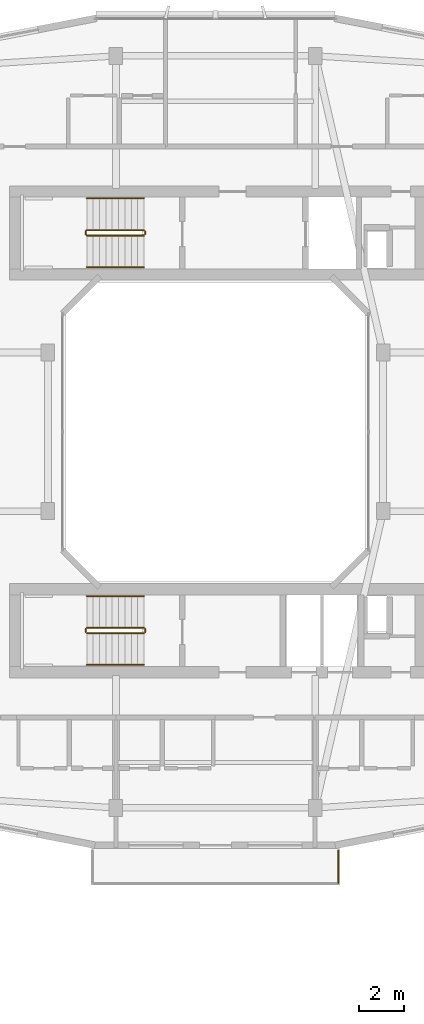
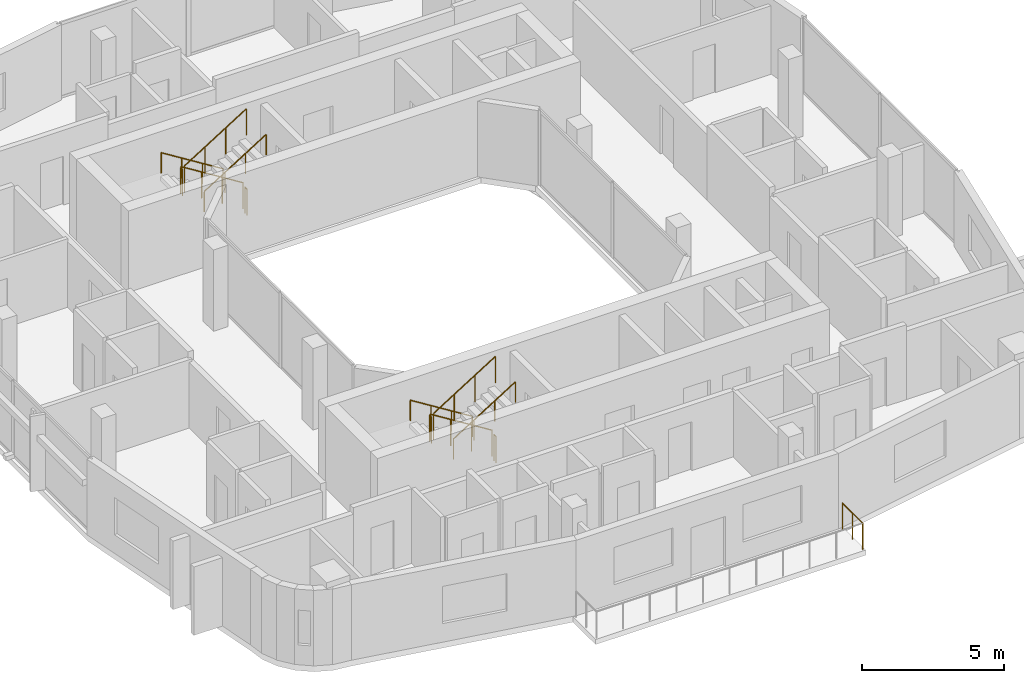
# One storey, part 23 of 24: 13 railings.
"""IFC4 building model written with IfcOpenShell, lengths in metres."""

from ifc_helpers import new_model, si_unit, derived_unit, direction, frame, origin, origin_2d, place, context, subcontext, project, spatial, circle, extrude, material, type_object, element, save


model = new_model("IFC4")

# Units and contexts
model_context = context("Model", 3, precision=1e-05, world=origin(), true_north=direction((0.0, 1.0)))
body_context = subcontext(model_context, "Body", "Model", "MODEL_VIEW")
ifc_project = project(units=[si_unit("LENGTHUNIT", "METRE"), si_unit("AREAUNIT", "SQUARE_METRE"), si_unit("VOLUMEUNIT", "CUBIC_METRE"), si_unit("PLANEANGLEUNIT", "RADIAN"), si_unit("MASSUNIT", "GRAM", prefix="KILO"), derived_unit("THERMALTRANSMITTANCEUNIT", [(si_unit("POWERUNIT", "WATT"), 1), (si_unit("LENGTHUNIT", "METRE"), -2), (si_unit("THERMODYNAMICTEMPERATUREUNIT", "KELVIN"), -1)])], contexts=[model_context])

# Site, building, storey
site_placement = place(None, origin())
site = spatial("IfcSite", under=ifc_project, at=site_placement, CompositionType="ELEMENT")
building_placement = place(site_placement, origin())
building = spatial("IfcBuilding", under=site, at=building_placement, Name="Kivonza Crest Hotel", CompositionType="ELEMENT")
storey_placement = place(building_placement, frame((0.0, 0.0, 80.0)))
storey = spatial("IfcBuildingStorey", under=building, at=storey_placement, Name="L21", CompositionType="ELEMENT", Elevation=80.0)

# Railings
ifc_material_1 = material(Name="Brushed stainless steel handrail", Category="steel")
railing_type_1 = type_object("IfcRailingType", Name="RL-HAND-900", PredefinedType="HANDRAIL", material=ifc_material_1)
railing_1_placement = place(storey_placement, frame((73.840087890625, 35.31005859375, 0.175048828125)))
element("IfcRailing", 1, at=railing_1_placement, inside=storey, type_object=railing_type_1, Name="L21 ST-T2-N stair handrail 1", PredefinedType="HANDRAIL", context=body_context, shape_type="SweptSolid", body=[
    extrude(circle(Radius=0.02392578125, at=origin_2d()), frame((0.0, 0.0, 0.8759765625), z_axis=(-0.848007534815, 0.0, 0.529984170421), x_axis=(0.0, -1.0, 0.0)), (0.0, 0.0, 1.0), 2.9716796875),
    extrude(circle(Radius=0.02099609375, at=origin_2d()), origin(), (0.0, 0.0, 1.0), 0.851806640625),
    extrude(circle(Radius=0.02099609375, at=origin_2d()), frame((-0.840087890625, 0.0, 0.52490234375)), (0.0, 0.0, 1.0), 0.851806640625),
    extrude(circle(Radius=0.02099609375, at=origin_2d()), frame((-1.679931640625, 0.0, 1.050048828125)), (0.0, 0.0, 1.0), 0.851806640625),
    extrude(circle(Radius=0.02099609375, at=origin_2d()), frame((-2.52001953125, 0.0, 1.574951171875)), (0.0, 0.0, 1.0), 0.851806640625),
])
railing_2_placement = place(storey_placement, frame((71.320068359375, 32.27001953125, 1.925048828125)))
element("IfcRailing", 2, at=railing_2_placement, inside=storey, type_object=railing_type_1, Name="L21 ST-T2-N stair handrail 2", PredefinedType="HANDRAIL", context=body_context, shape_type="SweptSolid", body=[
    extrude(circle(Radius=0.02392578125, at=origin_2d()), frame((0.0, 0.0, 0.8759765625), z_axis=(0.848007534815, 0.0, 0.529984170421), x_axis=(0.0, 1.0, 0.0)), (0.0, 0.0, 1.0), 2.9716796875),
    extrude(circle(Radius=0.02099609375, at=origin_2d()), origin(), (0.0, 0.0, 1.0), 0.851806640625),
    extrude(circle(Radius=0.02099609375, at=origin_2d()), frame((0.840087890625, 0.0, 0.52490234375)), (0.0, 0.0, 1.0), 0.851806640625),
    extrude(circle(Radius=0.02099609375, at=origin_2d()), frame((1.679931640625, 0.0, 1.050048828125)), (0.0, 0.0, 1.0), 0.851806640625),
    extrude(circle(Radius=0.02099609375, at=origin_2d()), frame((2.52001953125, 0.0, 1.574951171875)), (0.0, 0.0, 1.0), 0.851806640625),
])
railing_3_placement = place(storey_placement, frame((73.840087890625, 17.75, 0.175048828125)))
element("IfcRailing", 3, at=railing_3_placement, inside=storey, type_object=railing_type_1, Name="L21 ST-T2-S stair handrail 1", PredefinedType="HANDRAIL", context=body_context, shape_type="SweptSolid", body=[
    extrude(circle(Radius=0.02392578125, at=origin_2d()), frame((0.0, 0.0, 0.8759765625), z_axis=(-0.848007534815, 0.0, 0.529984170421), x_axis=(0.0, -1.0, 0.0)), (0.0, 0.0, 1.0), 2.9716796875),
    extrude(circle(Radius=0.02099609375, at=origin_2d()), origin(), (0.0, 0.0, 1.0), 0.851806640625),
    extrude(circle(Radius=0.02099609375, at=origin_2d()), frame((-0.840087890625, 0.0, 0.52490234375)), (0.0, 0.0, 1.0), 0.851806640625),
    extrude(circle(Radius=0.02099609375, at=origin_2d()), frame((-1.679931640625, 0.0, 1.050048828125)), (0.0, 0.0, 1.0), 0.851806640625),
    extrude(circle(Radius=0.02099609375, at=origin_2d()), frame((-2.52001953125, 0.0, 1.574951171875)), (0.0, 0.0, 1.0), 0.851806640625),
])
railing_4_placement = place(storey_placement, frame((71.320068359375, 14.7099609375, 1.925048828125)))
element("IfcRailing", 4, at=railing_4_placement, inside=storey, type_object=railing_type_1, Name="L21 ST-T2-S stair handrail 2", PredefinedType="HANDRAIL", context=body_context, shape_type="SweptSolid", body=[
    extrude(circle(Radius=0.02392578125, at=origin_2d()), frame((0.0, 0.0, 0.8759765625), z_axis=(0.848007534815, 0.0, 0.529984170421), x_axis=(0.0, 1.0, 0.0)), (0.0, 0.0, 1.0), 2.9716796875),
    extrude(circle(Radius=0.02099609375, at=origin_2d()), origin(), (0.0, 0.0, 1.0), 0.851806640625),
    extrude(circle(Radius=0.02099609375, at=origin_2d()), frame((0.840087890625, 0.0, 0.52490234375)), (0.0, 0.0, 1.0), 0.851806640625),
    extrude(circle(Radius=0.02099609375, at=origin_2d()), frame((1.679931640625, 0.0, 1.050048828125)), (0.0, 0.0, 1.0), 0.851806640625),
    extrude(circle(Radius=0.02099609375, at=origin_2d()), frame((2.52001953125, 0.0, 1.574951171875)), (0.0, 0.0, 1.0), 0.851806640625),
])
ifc_material_2 = material(Name="Painted steel balustrade", Category="steel")
railing_type_2 = type_object("IfcRailingType", Name="RL-STAIR-1150", PredefinedType="BALUSTRADE", material=ifc_material_2)
railing_5_placement = place(storey_placement, frame((73.840087890625, 33.909912109375, 0.175048828125)))
element("IfcRailing", 5, at=railing_5_placement, inside=storey, type_object=railing_type_2, Name="L21 ST-T2-N stair guard 1", PredefinedType="BALUSTRADE", context=body_context, shape_type="SweptSolid", body=[
    extrude(circle(Radius=0.02392578125, at=origin_2d()), frame((0.0, 0.0, 1.1259765625), z_axis=(-0.848007534815, 0.0, 0.529984170421), x_axis=(0.0, -1.0, 0.0)), (0.0, 0.0, 1.0), 2.9716796875),
    extrude(circle(Radius=0.02099609375, at=origin_2d()), origin(), (0.0, 0.0, 1.0), 1.101806640625),
    extrude(circle(Radius=0.02099609375, at=origin_2d()), frame((-0.840087890625, 0.0, 0.52490234375)), (0.0, 0.0, 1.0), 1.101806640625),
    extrude(circle(Radius=0.02099609375, at=origin_2d()), frame((-1.679931640625, 0.0, 1.050048828125)), (0.0, 0.0, 1.0), 1.101806640625),
    extrude(circle(Radius=0.02099609375, at=origin_2d()), frame((-2.52001953125, 0.0, 1.574951171875)), (0.0, 0.0, 1.0), 1.101806640625),
])
railing_6_placement = place(storey_placement, frame((71.27001953125, 33.860107421875, 1.75)))
element("IfcRailing", 6, at=railing_6_placement, inside=storey, type_object=railing_type_2, Name="L21 ST-T2-N stair guard 2", PredefinedType="BALUSTRADE", context=body_context, shape_type="SweptSolid", body=[
    extrude(circle(Radius=0.02392578125, at=origin_2d()), frame((0.0, 0.0, 1.1259765625), z_axis=(0.0, -1.0, 0.0), x_axis=(1.0, 0.0, 0.0)), (0.0, 0.0, 1.0), 0.14013671875),
    extrude(circle(Radius=0.02099609375, at=origin_2d()), origin(), (0.0, 0.0, 1.0), 1.101806640625),
    extrude(circle(Radius=0.02099609375, at=origin_2d()), frame((0.0, -0.14013671875, 0.0)), (0.0, 0.0, 1.0), 1.101806640625),
])
railing_7_placement = place(storey_placement, frame((71.320068359375, 33.669921875, 1.925048828125)))
element("IfcRailing", 7, at=railing_7_placement, inside=storey, type_object=railing_type_2, Name="L21 ST-T2-N stair guard 3", PredefinedType="BALUSTRADE", context=body_context, shape_type="SweptSolid", body=[
    extrude(circle(Radius=0.02392578125, at=origin_2d()), frame((0.0, 0.0, 1.1259765625), z_axis=(0.848007534815, 0.0, 0.529984170421), x_axis=(0.0, 1.0, 0.0)), (0.0, 0.0, 1.0), 2.9716796875),
    extrude(circle(Radius=0.02099609375, at=origin_2d()), origin(), (0.0, 0.0, 1.0), 1.101806640625),
    extrude(circle(Radius=0.02099609375, at=origin_2d()), frame((0.840087890625, 0.0, 0.52490234375)), (0.0, 0.0, 1.0), 1.101806640625),
    extrude(circle(Radius=0.02099609375, at=origin_2d()), frame((1.679931640625, 0.0, 1.050048828125)), (0.0, 0.0, 1.0), 1.101806640625),
    extrude(circle(Radius=0.02099609375, at=origin_2d()), frame((2.52001953125, 0.0, 1.574951171875)), (0.0, 0.0, 1.0), 1.101806640625),
])
railing_8_placement = place(storey_placement, frame((73.889892578125, 33.860107421875, 0.0)))
element("IfcRailing", 8, at=railing_8_placement, inside=storey, type_object=railing_type_2, Name="L21 ST-T2-N stair guard 4", PredefinedType="BALUSTRADE", context=body_context, shape_type="SweptSolid", body=[
    extrude(circle(Radius=0.02392578125, at=origin_2d()), frame((0.0, 0.0, 1.1259765625), z_axis=(0.0, -1.0, 0.0), x_axis=(1.0, 0.0, 0.0)), (0.0, 0.0, 1.0), 0.14013671875),
    extrude(circle(Radius=0.02099609375, at=origin_2d()), origin(), (0.0, 0.0, 1.0), 1.101806640625),
    extrude(circle(Radius=0.02099609375, at=origin_2d()), frame((0.0, -0.14013671875, 0.0)), (0.0, 0.0, 1.0), 1.101806640625),
])
railing_9_placement = place(storey_placement, frame((73.840087890625, 16.35009765625, 0.175048828125)))
element("IfcRailing", 9, at=railing_9_placement, inside=storey, type_object=railing_type_2, Name="L21 ST-T2-S stair guard 1", PredefinedType="BALUSTRADE", context=body_context, shape_type="SweptSolid", body=[
    extrude(circle(Radius=0.02392578125, at=origin_2d()), frame((0.0, 0.0, 1.1259765625), z_axis=(-0.848007534815, 0.0, 0.529984170421), x_axis=(0.0, -1.0, 0.0)), (0.0, 0.0, 1.0), 2.9716796875),
    extrude(circle(Radius=0.02099609375, at=origin_2d()), origin(), (0.0, 0.0, 1.0), 1.101806640625),
    extrude(circle(Radius=0.02099609375, at=origin_2d()), frame((-0.840087890625, 0.0, 0.52490234375)), (0.0, 0.0, 1.0), 1.101806640625),
    extrude(circle(Radius=0.02099609375, at=origin_2d()), frame((-1.679931640625, 0.0, 1.050048828125)), (0.0, 0.0, 1.0), 1.101806640625),
    extrude(circle(Radius=0.02099609375, at=origin_2d()), frame((-2.52001953125, 0.0, 1.574951171875)), (0.0, 0.0, 1.0), 1.101806640625),
])
railing_10_placement = place(storey_placement, frame((71.27001953125, 16.300048828125, 1.75)))
element("IfcRailing", 10, at=railing_10_placement, inside=storey, type_object=railing_type_2, Name="L21 ST-T2-S stair guard 2", PredefinedType="BALUSTRADE", context=body_context, shape_type="SweptSolid", body=[
    extrude(circle(Radius=0.02392578125, at=origin_2d()), frame((0.0, 0.0, 1.1259765625), z_axis=(0.0, -1.0, 0.0), x_axis=(1.0, 0.0, 0.0)), (0.0, 0.0, 1.0), 0.14013671875),
    extrude(circle(Radius=0.02099609375, at=origin_2d()), origin(), (0.0, 0.0, 1.0), 1.101806640625),
    extrude(circle(Radius=0.02099609375, at=origin_2d()), frame((0.0, -0.14013671875, 0.0)), (0.0, 0.0, 1.0), 1.101806640625),
])
railing_11_placement = place(storey_placement, frame((71.320068359375, 16.110107421875, 1.925048828125)))
element("IfcRailing", 11, at=railing_11_placement, inside=storey, type_object=railing_type_2, Name="L21 ST-T2-S stair guard 3", PredefinedType="BALUSTRADE", context=body_context, shape_type="SweptSolid", body=[
    extrude(circle(Radius=0.02392578125, at=origin_2d()), frame((0.0, 0.0, 1.1259765625), z_axis=(0.848007534815, 0.0, 0.529984170421), x_axis=(0.0, 1.0, 0.0)), (0.0, 0.0, 1.0), 2.9716796875),
    extrude(circle(Radius=0.02099609375, at=origin_2d()), origin(), (0.0, 0.0, 1.0), 1.101806640625),
    extrude(circle(Radius=0.02099609375, at=origin_2d()), frame((0.840087890625, 0.0, 0.52490234375)), (0.0, 0.0, 1.0), 1.101806640625),
    extrude(circle(Radius=0.02099609375, at=origin_2d()), frame((1.679931640625, 0.0, 1.050048828125)), (0.0, 0.0, 1.0), 1.101806640625),
    extrude(circle(Radius=0.02099609375, at=origin_2d()), frame((2.52001953125, 0.0, 1.574951171875)), (0.0, 0.0, 1.0), 1.101806640625),
])
railing_12_placement = place(storey_placement, frame((73.889892578125, 16.300048828125, 0.0)))
element("IfcRailing", 12, at=railing_12_placement, inside=storey, type_object=railing_type_2, Name="L21 ST-T2-S stair guard 4", PredefinedType="BALUSTRADE", context=body_context, shape_type="SweptSolid", body=[
    extrude(circle(Radius=0.02392578125, at=origin_2d()), frame((0.0, 0.0, 1.1259765625), z_axis=(0.0, -1.0, 0.0), x_axis=(1.0, 0.0, 0.0)), (0.0, 0.0, 1.0), 0.14013671875),
    extrude(circle(Radius=0.02099609375, at=origin_2d()), origin(), (0.0, 0.0, 1.0), 1.101806640625),
    extrude(circle(Radius=0.02099609375, at=origin_2d()), frame((0.0, -0.14013671875, 0.0)), (0.0, 0.0, 1.0), 1.101806640625),
])
ifc_material_3 = material(Name="Laminated glass and stainless steel balustrade", Category="steel")
railing_type_3 = type_object("IfcRailingType", Name="RL-TERR-1150", PredefinedType="BALUSTRADE", material=ifc_material_3)
railing_13_placement = place(storey_placement, frame((82.419921875, 6.52001953125, 0.0)))
element("IfcRailing", 13, at=railing_13_placement, inside=storey, type_object=railing_type_3, Name="L21 T2-L21-TS perimeter safety balustrade 2", PredefinedType="BALUSTRADE", context=body_context, shape_type="SweptSolid", body=[
    extrude(circle(Radius=0.02392578125, at=origin_2d()), frame((0.0, 0.0, 1.1259765625), z_axis=(0.0, -1.0, 0.0), x_axis=(1.0, 0.0, 0.0)), (0.0, 0.0, 1.0), 1.43994140625),
    extrude(circle(Radius=0.02099609375, at=origin_2d()), origin(), (0.0, 0.0, 1.0), 1.101806640625),
    extrude(circle(Radius=0.02099609375, at=origin_2d()), frame((0.0, -0.719970703125, 0.0)), (0.0, 0.0, 1.0), 1.101806640625),
    extrude(circle(Radius=0.02099609375, at=origin_2d()), frame((0.0, -1.43994140625, 0.0)), (0.0, 0.0, 1.0), 1.101806640625),
])

save(model, "model.ifc")
